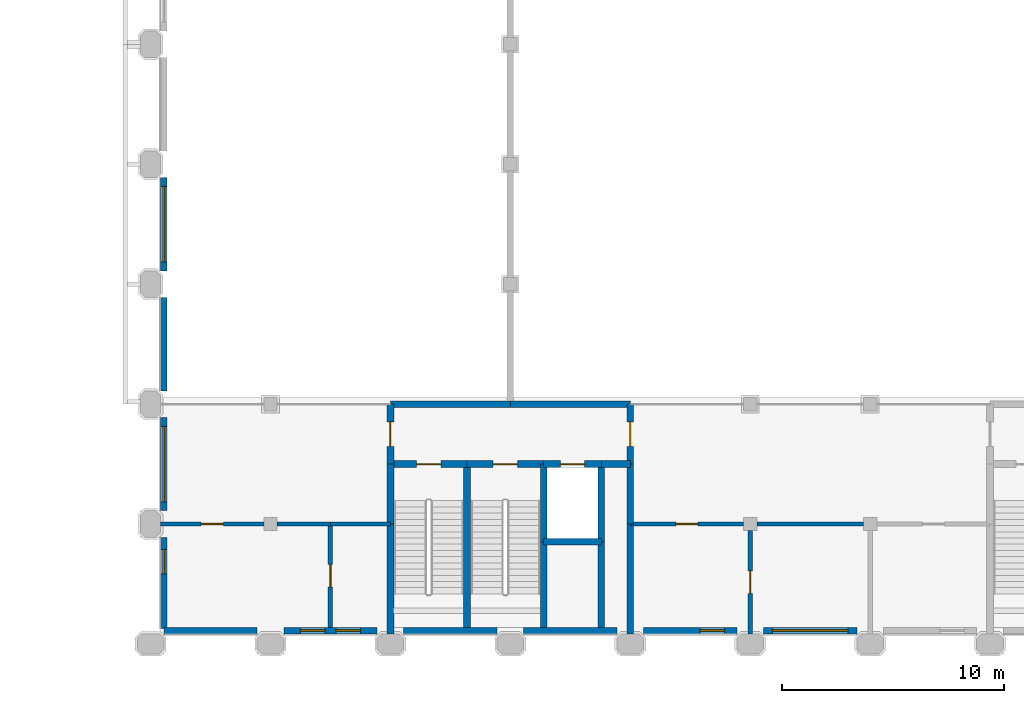
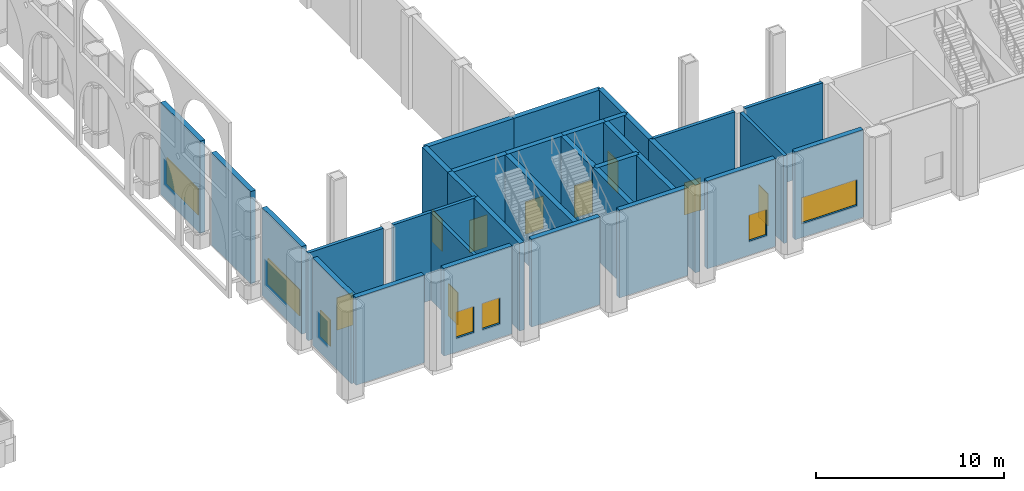
# One storey, part 15 of 34: 35 walls, 9 doors, 7 windows, 16 openings.
"""IFC4 building model written with IfcOpenShell, lengths in metres."""

from ifc_helpers import new_model, si_unit, direction, frame, frame_2d, origin, place, context, subcontext, project, spatial, rectangle, extrude, material, layer, layer_set, type_object, element, fill, save


model = new_model("IFC4")

# Units and contexts
model_context = context("Model", 3, precision=1e-05, world=origin(), true_north=direction((0.0, 1.0)))
body_context = subcontext(model_context, "Body", "Model", "MODEL_VIEW")
ifc_project = project(units=[si_unit("LENGTHUNIT", "METRE"), si_unit("AREAUNIT", "SQUARE_METRE"), si_unit("VOLUMEUNIT", "CUBIC_METRE"), si_unit("PLANEANGLEUNIT", "RADIAN"), si_unit("MASSUNIT", "GRAM", prefix="KILO")], contexts=[model_context])

# Site, building, storey
site_placement = place(None, origin())
site = spatial("IfcSite", under=ifc_project, at=site_placement, CompositionType="ELEMENT")
building_placement = place(site_placement, origin())
building = spatial("IfcBuilding", under=site, at=building_placement, Name="Tabaq Tower and Sports Hall", CompositionType="ELEMENT")
storey_placement = place(building_placement, frame((0.0, 0.0, 8.39990234375)))
storey = spatial("IfcBuildingStorey", under=building, at=storey_placement, Name="L01", CompositionType="ELEMENT", Elevation=8.39990234375)

# Wall
ifc_material_1 = material(Name="Concrete C50/60", Category="concrete")
ifc_layer_1 = layer(ifc_material_1, 0.300048828125)
ifc_layer_set_1 = layer_set([ifc_layer_1], Name="HALL CORE WALL RC 300 C50/60")
wall_type_1 = type_object("IfcWallType", Name="HALL CORE WALL RC 300 C50/60", PredefinedType="SHEAR", material=ifc_layer_set_1)
wall_1_placement = place(storey_placement, frame((75.60009765625, 5.39990234375, 0.0), z_axis=(0.0, 0.0, 1.0), x_axis=(0.0, 1.0, 0.0)))
element("IfcWall", 1, at=wall_1_placement, inside=storey, type_object=wall_type_1, Name="L01 core wall 004", PredefinedType="SHEAR", context=body_context, shape_type="SweptSolid", body=[
    extrude(rectangle(XDim=2.7001953125, YDim=0.300048828125, at=frame_2d((1.35009765625, 0.0))), origin(), (0.0, 0.0, 1.0), 5.7001953125),
])

# Wall, opening, door
wall_2_placement = place(storey_placement, frame((75.60009765625, 8.10009765625, 0.0), z_axis=(0.0, 0.0, 1.0), x_axis=(0.0, 1.0, 0.0)))
wall_2 = element("IfcWall", 2, at=wall_2_placement, inside=storey, type_object=wall_type_1, Name="L01 core wall 005", PredefinedType="SHEAR", context=body_context, shape_type="SweptSolid", body=[
    extrude(rectangle(XDim=2.699951171875, YDim=0.300048828125, at=frame_2d((1.35009765625, 0.0))), origin(), (0.0, 0.0, 1.0), 5.7001953125),
])
opening_1_placement = place(wall_2_placement, frame((0.800048828125, 0.0, 0.0)))
opening_1 = element("IfcOpeningElement", 3, at=opening_1_placement, cuts=wall_2, Name="Opening HD038", PredefinedType="OPENING", context=body_context, shape_type="SweptSolid", body=[
    extrude(rectangle(XDim=1.10009765625, YDim=2.10009765625, at=frame_2d((0.550048828125, 1.050048828125))), frame((0.0, 0.14990234375, 0.0), z_axis=(0.0, -1.0, 0.0), x_axis=(1.0, 0.0, 0.0)), (0.0, 0.0, 1.0), 0.300048828125),
])
ifc_material_2 = material(Name="Steel fire door leaf in steel frame", Category="steel")
door_type_1 = type_object("IfcDoorType", Name="HALL FIRE DOOR 1100x2100", OperationType="SINGLE_SWING_LEFT", PredefinedType="DOOR", material=ifc_material_2)
door_1_placement = place(opening_1_placement, origin())
door_1 = element("IfcDoor", 4, at=door_1_placement, inside=storey, type_object=door_type_1, Name="Door HD038", OperationType="SINGLE_SWING_LEFT", OverallHeight=2.10009765625, OverallWidth=1.10009765625, PredefinedType="DOOR", context=body_context, shape_type="SweptSolid", body=[
    extrude(rectangle(XDim=1.10009765625, YDim=2.10009765625, at=frame_2d((0.550048828125, 1.050048828125))), frame((0.0, 0.02490234375, 0.0), z_axis=(0.0, -1.0, 0.0), x_axis=(1.0, 0.0, 0.0)), (0.0, 0.0, 1.0), 0.050048828125),
])
fill(opening_1, door_1)

# Wall
wall_3_placement = place(storey_placement, frame((86.39990234375, 5.39990234375, 0.0), z_axis=(0.0, 0.0, 1.0), x_axis=(0.0, 1.0, 0.0)))
element("IfcWall", 5, at=wall_3_placement, inside=storey, type_object=wall_type_1, Name="L01 core wall 009", PredefinedType="SHEAR", context=body_context, shape_type="SweptSolid", body=[
    extrude(rectangle(XDim=2.7001953125, YDim=0.300048828125, at=frame_2d((1.35009765625, 0.0))), origin(), (0.0, 0.0, 1.0), 5.7001953125),
])

# Wall, opening, door
wall_4_placement = place(storey_placement, frame((86.39990234375, 8.10009765625, 0.0), z_axis=(0.0, 0.0, 1.0), x_axis=(0.0, 1.0, 0.0)))
wall_4 = element("IfcWall", 6, at=wall_4_placement, inside=storey, type_object=wall_type_1, Name="L01 core wall 010", PredefinedType="SHEAR", context=body_context, shape_type="SweptSolid", body=[
    extrude(rectangle(XDim=2.699951171875, YDim=0.300048828125, at=frame_2d((1.35009765625, 0.0))), origin(), (0.0, 0.0, 1.0), 5.7001953125),
])
opening_2_placement = place(wall_4_placement, frame((0.800048828125, 0.0, 0.0)))
opening_2 = element("IfcOpeningElement", 7, at=opening_2_placement, cuts=wall_4, Name="Opening HD039", PredefinedType="OPENING", context=body_context, shape_type="SweptSolid", body=[
    extrude(rectangle(XDim=1.10009765625, YDim=2.10009765625, at=frame_2d((0.550048828125, 1.050048828125))), frame((0.0, 0.14990234375, 0.0), z_axis=(0.0, -1.0, 0.0), x_axis=(1.0, 0.0, 0.0)), (0.0, 0.0, 1.0), 0.300048828125),
])
door_2_placement = place(opening_2_placement, origin())
door_2 = element("IfcDoor", 8, at=door_2_placement, inside=storey, type_object=door_type_1, Name="Door HD039", OperationType="SINGLE_SWING_LEFT", OverallHeight=2.10009765625, OverallWidth=1.10009765625, PredefinedType="DOOR", context=body_context, shape_type="SweptSolid", body=[
    extrude(rectangle(XDim=1.10009765625, YDim=2.10009765625, at=frame_2d((0.550048828125, 1.050048828125))), frame((0.0, 0.02490234375, 0.0), z_axis=(0.0, -1.0, 0.0), x_axis=(1.0, 0.0, 0.0)), (0.0, 0.0, 1.0), 0.050048828125),
])
fill(opening_2, door_2)

# Walls
for number, where, z_axis, x_axis, name in (
    (9, (75.60009765625, 0.449951171875, 0.0), (0.0, 0.0, 1.0), (0.0, 1.0, 0.0), "L01 core wall 020"),
    (10, (86.39990234375, 0.449951171875, 0.0), (0.0, 0.0, 1.0), (0.0, 1.0, 0.0), "L01 core wall 022"),
):
    element("IfcWall", number, at=place(storey_placement, frame(where, z_axis=z_axis, x_axis=x_axis)), inside=storey, type_object=wall_type_1, Name=name, PredefinedType="SHEAR", context=body_context, shape_type="SweptSolid", body=[
        extrude(rectangle(XDim=4.949951171875, YDim=0.300048828125, at=frame_2d((2.47509765625, 0.0))), origin(), (0.0, 0.0, 1.0), 5.7001953125),
    ])
wall_5_placement = place(storey_placement, frame((79.050048828125, 0.75, 0.0), z_axis=(0.0, 0.0, 1.0), x_axis=(0.0, 1.0, 0.0)))
element("IfcWall", 11, at=wall_5_placement, inside=storey, type_object=wall_type_1, Name="L01 core wall 029", PredefinedType="SHEAR", context=body_context, shape_type="SweptSolid", body=[
    extrude(rectangle(XDim=7.35009765625, YDim=0.300048828125, at=frame_2d((3.675048828125, 0.0))), origin(), (0.0, 0.0, 1.0), 5.7001953125),
])

# Wall, opening, door
wall_6_placement = place(storey_placement, frame((75.60009765625, 8.10009765625, 0.0), z_axis=(0.0, 0.0, 1.0), x_axis=(1.0, 0.0, 0.0)))
wall_6 = element("IfcWall", 12, at=wall_6_placement, inside=storey, type_object=wall_type_1, Name="L01 core wall 030", PredefinedType="SHEAR", context=body_context, shape_type="SweptSolid", body=[
    extrude(rectangle(XDim=3.449951171875, YDim=0.300048828125, at=frame_2d((1.72509765625, 0.0))), origin(), (0.0, 0.0, 1.0), 5.7001953125),
])
opening_3_placement = place(wall_6_placement, frame((1.175048828125, 0.0, 0.0)))
opening_3 = element("IfcOpeningElement", 13, at=opening_3_placement, cuts=wall_6, Name="Opening HD051", PredefinedType="OPENING", context=body_context, shape_type="SweptSolid", body=[
    extrude(rectangle(XDim=1.10009765625, YDim=2.10009765625, at=frame_2d((0.550048828125, 1.050048828125))), frame((0.0, 0.14990234375, 0.0), z_axis=(0.0, -1.0, 0.0), x_axis=(1.0, 0.0, 0.0)), (0.0, 0.0, 1.0), 0.300048828125),
])
door_3_placement = place(opening_3_placement, origin())
door_3 = element("IfcDoor", 14, at=door_3_placement, inside=storey, type_object=door_type_1, Name="Door HD051", OperationType="SINGLE_SWING_LEFT", OverallHeight=2.10009765625, OverallWidth=1.10009765625, PredefinedType="DOOR", context=body_context, shape_type="SweptSolid", body=[
    extrude(rectangle(XDim=1.10009765625, YDim=2.10009765625, at=frame_2d((0.550048828125, 1.050048828125))), frame((0.0, 0.02490234375, 0.0), z_axis=(0.0, -1.0, 0.0), x_axis=(1.0, 0.0, 0.0)), (0.0, 0.0, 1.0), 0.050048828125),
])
fill(opening_3, door_3)

# Walls
wall_7_placement = place(storey_placement, frame((82.5, 4.60009765625, 0.0), z_axis=(0.0, 0.0, 1.0), x_axis=(0.0, 1.0, 0.0)))
element("IfcWall", 15, at=wall_7_placement, inside=storey, type_object=wall_type_1, Name="L01 core wall 031", PredefinedType="SHEAR", context=body_context, shape_type="SweptSolid", body=[
    extrude(rectangle(XDim=3.5, YDim=0.300048828125, at=frame_2d((1.75, 0.0))), origin(), (0.0, 0.0, 1.0), 5.7001953125),
])
wall_8_placement = place(storey_placement, frame((82.5, 0.75, 0.0), z_axis=(0.0, 0.0, 1.0), x_axis=(0.0, 1.0, 0.0)))
element("IfcWall", 16, at=wall_8_placement, inside=storey, type_object=wall_type_1, Name="L01 core wall 032", PredefinedType="SHEAR", context=body_context, shape_type="SweptSolid", body=[
    extrude(rectangle(XDim=3.85009765625, YDim=0.300048828125, at=frame_2d((1.925048828125, 0.0))), origin(), (0.0, 0.0, 1.0), 5.7001953125),
])

# Wall, opening, door
wall_9_placement = place(storey_placement, frame((79.050048828125, 8.10009765625, 0.0), z_axis=(0.0, 0.0, 1.0), x_axis=(1.0, 0.0, 0.0)))
wall_9 = element("IfcWall", 17, at=wall_9_placement, inside=storey, type_object=wall_type_1, Name="L01 core wall 033", PredefinedType="SHEAR", context=body_context, shape_type="SweptSolid", body=[
    extrude(rectangle(XDim=3.449951171875, YDim=0.300048828125, at=frame_2d((1.72509765625, 0.0))), origin(), (0.0, 0.0, 1.0), 5.7001953125),
])
opening_4_placement = place(wall_9_placement, frame((1.175048828125, 0.0, 0.0)))
opening_4 = element("IfcOpeningElement", 18, at=opening_4_placement, cuts=wall_9, Name="Opening HD052", PredefinedType="OPENING", context=body_context, shape_type="SweptSolid", body=[
    extrude(rectangle(XDim=1.10009765625, YDim=2.10009765625, at=frame_2d((0.550048828125, 1.050048828125))), frame((0.0, 0.14990234375, 0.0), z_axis=(0.0, -1.0, 0.0), x_axis=(1.0, 0.0, 0.0)), (0.0, 0.0, 1.0), 0.300048828125),
])
door_4_placement = place(opening_4_placement, origin())
door_4 = element("IfcDoor", 19, at=door_4_placement, inside=storey, type_object=door_type_1, Name="Door HD052", OperationType="SINGLE_SWING_LEFT", OverallHeight=2.10009765625, OverallWidth=1.10009765625, PredefinedType="DOOR", context=body_context, shape_type="SweptSolid", body=[
    extrude(rectangle(XDim=1.10009765625, YDim=2.10009765625, at=frame_2d((0.550048828125, 1.050048828125))), frame((0.0, 0.02490234375, 0.0), z_axis=(0.0, -1.0, 0.0), x_axis=(1.0, 0.0, 0.0)), (0.0, 0.0, 1.0), 0.050048828125),
])
fill(opening_4, door_4)

# Walls
wall_10_placement = place(storey_placement, frame((82.5, 4.60009765625, 0.0), z_axis=(0.0, 0.0, 1.0), x_axis=(1.0, 0.0, 0.0)))
element("IfcWall", 20, at=wall_10_placement, inside=storey, type_object=wall_type_1, Name="L01 core wall 034", PredefinedType="SHEAR", context=body_context, shape_type="SweptSolid", body=[
    extrude(rectangle(XDim=2.60009765625, YDim=0.300048828125, at=frame_2d((1.300048828125, 0.0))), origin(), (0.0, 0.0, 1.0), 5.7001953125),
])
wall_11_placement = place(storey_placement, frame((85.10009765625, 4.60009765625, 0.0), z_axis=(0.0, 0.0, 1.0), x_axis=(0.0, 1.0, 0.0)))
element("IfcWall", 21, at=wall_11_placement, inside=storey, type_object=wall_type_1, Name="L01 core wall 035", PredefinedType="SHEAR", context=body_context, shape_type="SweptSolid", body=[
    extrude(rectangle(XDim=3.5, YDim=0.300048828125, at=frame_2d((1.75, 0.0))), origin(), (0.0, 0.0, 1.0), 5.7001953125),
])

# Wall, opening, door
wall_12_placement = place(storey_placement, frame((82.5, 8.10009765625, 0.0), z_axis=(0.0, 0.0, 1.0), x_axis=(1.0, 0.0, 0.0)))
wall_12 = element("IfcWall", 22, at=wall_12_placement, inside=storey, type_object=wall_type_1, Name="L01 core wall 036", PredefinedType="SHEAR", context=body_context, shape_type="SweptSolid", body=[
    extrude(rectangle(XDim=2.60009765625, YDim=0.300048828125, at=frame_2d((1.300048828125, 0.0))), origin(), (0.0, 0.0, 1.0), 5.7001953125),
])
opening_5_placement = place(wall_12_placement, frame((0.75, 0.0, 0.0)))
opening_5 = element("IfcOpeningElement", 23, at=opening_5_placement, cuts=wall_12, Name="Opening LDA-L01", PredefinedType="OPENING", context=body_context, shape_type="SweptSolid", body=[
    extrude(rectangle(XDim=1.10009765625, YDim=2.10009765625, at=frame_2d((0.550048828125, 1.050048828125))), frame((0.0, 0.14990234375, 0.0), z_axis=(0.0, -1.0, 0.0), x_axis=(1.0, 0.0, 0.0)), (0.0, 0.0, 1.0), 0.300048828125),
])
ifc_material_3 = material(Name="Stainless steel landing door panels", Category="steel")
door_type_2 = type_object("IfcDoorType", Name="HALL LIFT LANDING DOOR 1100x2100", OperationType="SLIDING_TO_LEFT", PredefinedType="DOOR", material=ifc_material_3)
door_5_placement = place(opening_5_placement, origin())
door_5 = element("IfcDoor", 24, at=door_5_placement, inside=storey, type_object=door_type_2, Name="Door LDA-L01", OperationType="SLIDING_TO_LEFT", OverallHeight=2.10009765625, OverallWidth=1.10009765625, PredefinedType="DOOR", context=body_context, shape_type="SweptSolid", body=[
    extrude(rectangle(XDim=1.10009765625, YDim=2.10009765625, at=frame_2d((0.550048828125, 1.050048828125))), frame((0.0, 0.02490234375, 0.0), z_axis=(0.0, -1.0, 0.0), x_axis=(1.0, 0.0, 0.0)), (0.0, 0.0, 1.0), 0.050048828125),
])
fill(opening_5, door_5)

# Walls
wall_13_placement = place(storey_placement, frame((85.10009765625, 0.75, 0.0), z_axis=(0.0, 0.0, 1.0), x_axis=(0.0, 1.0, 0.0)))
element("IfcWall", 25, at=wall_13_placement, inside=storey, type_object=wall_type_1, Name="L01 core wall 037", PredefinedType="SHEAR", context=body_context, shape_type="SweptSolid", body=[
    extrude(rectangle(XDim=3.85009765625, YDim=0.300048828125, at=frame_2d((1.925048828125, 0.0))), origin(), (0.0, 0.0, 1.0), 5.7001953125),
])
wall_14_placement = place(storey_placement, frame((85.10009765625, 8.10009765625, 0.0), z_axis=(0.0, 0.0, 1.0), x_axis=(1.0, 0.0, 0.0)))
element("IfcWall", 26, at=wall_14_placement, inside=storey, type_object=wall_type_1, Name="L01 core wall 038", PredefinedType="SHEAR", context=body_context, shape_type="SweptSolid", body=[
    extrude(rectangle(XDim=1.2998046875, YDim=0.300048828125, at=frame_2d((0.64990234375, 0.0))), origin(), (0.0, 0.0, 1.0), 5.7001953125),
])
for number, where, z_axis, x_axis, name in (
    (27, (81.0, 10.800048828125, 0.0), (0.0, 0.0, 1.0), (1.0, 0.0, 0.0), "L01 core wall 039"),
    (28, (75.60009765625, 10.800048828125, 0.0), (0.0, 0.0, 1.0), (1.0, 0.0, 0.0), "L01 core wall 040"),
):
    element("IfcWall", number, at=place(storey_placement, frame(where, z_axis=z_axis, x_axis=x_axis)), inside=storey, type_object=wall_type_1, Name=name, PredefinedType="SHEAR", context=body_context, shape_type="SweptSolid", body=[
        extrude(rectangle(XDim=5.39990234375, YDim=0.300048828125, at=frame_2d((2.699951171875, 0.0))), origin(), (0.0, 0.0, 1.0), 5.7001953125),
    ])

# Wall, opening, door
ifc_material_4 = material(Name="Blockwork partition with plaster both faces", Category="masonry")
ifc_layer_2 = layer(ifc_material_4, 0.199951171875)
ifc_layer_set_2 = layer_set([ifc_layer_2], Name="HALL PARTITION 200")
wall_type_2 = type_object("IfcWallType", Name="HALL PARTITION 200", PredefinedType="PARTITIONING", material=ifc_layer_set_2)
wall_15_placement = place(storey_placement, frame((65.25, 5.39990234375, 0.0), z_axis=(0.0, 0.0, 1.0), x_axis=(1.0, 0.0, 0.0)))
wall_15 = element("IfcWall", 29, at=wall_15_placement, inside=storey, type_object=wall_type_2, Name="L01 partition 001", PredefinedType="PARTITIONING", context=body_context, shape_type="SweptSolid", body=[
    extrude(rectangle(XDim=4.64990234375, YDim=0.199951171875, at=frame_2d((2.324951171875, 0.0))), origin(), (0.0, 0.0, 1.0), 5.7001953125),
])
opening_6_placement = place(wall_15_placement, frame((1.824951171875, 0.0, 0.0)))
opening_6 = element("IfcOpeningElement", 30, at=opening_6_placement, cuts=wall_15, Name="Opening HD042", PredefinedType="OPENING", context=body_context, shape_type="SweptSolid", body=[
    extrude(rectangle(XDim=1.0, YDim=2.10009765625, at=frame_2d((0.5, 1.050048828125))), frame((0.0, 0.10009765625, 0.0), z_axis=(0.0, -1.0, 0.0), x_axis=(1.0, 0.0, 0.0)), (0.0, 0.0, 1.0), 0.199951171875),
])
ifc_material_5 = material(Name="Timber veneer door leaf in steel frame", Category="steel")
door_type_3 = type_object("IfcDoorType", Name="HALL DOOR SINGLE 1000x2100", OperationType="SINGLE_SWING_LEFT", PredefinedType="DOOR", material=ifc_material_5)
door_6_placement = place(opening_6_placement, origin())
door_6 = element("IfcDoor", 31, at=door_6_placement, inside=storey, type_object=door_type_3, Name="Door HD042", OperationType="SINGLE_SWING_LEFT", OverallHeight=2.10009765625, OverallWidth=1.0, PredefinedType="DOOR", context=body_context, shape_type="SweptSolid", body=[
    extrude(rectangle(XDim=1.0, YDim=2.10009765625, at=frame_2d((0.5, 1.050048828125))), frame((0.0, 0.02490234375, 0.0), z_axis=(0.0, -1.0, 0.0), x_axis=(1.0, 0.0, 0.0)), (0.0, 0.0, 1.0), 0.050048828125),
])
fill(opening_6, door_6)

# Walls
wall_16_placement = place(storey_placement, frame((70.5, 5.39990234375, 0.0), z_axis=(0.0, 0.0, 1.0), x_axis=(1.0, 0.0, 0.0)))
element("IfcWall", 32, at=wall_16_placement, inside=storey, type_object=wall_type_2, Name="L01 partition 002", PredefinedType="PARTITIONING", context=body_context, shape_type="SweptSolid", body=[
    extrude(rectangle(XDim=2.39990234375, YDim=0.199951171875, at=frame_2d((1.199951171875, 0.0))), origin(), (0.0, 0.0, 1.0), 5.7001953125),
])
wall_17_placement = place(storey_placement, frame((72.89990234375, 5.39990234375, 0.0), z_axis=(0.0, 0.0, 1.0), x_axis=(1.0, 0.0, 0.0)))
element("IfcWall", 33, at=wall_17_placement, inside=storey, type_object=wall_type_2, Name="L01 partition 003", PredefinedType="PARTITIONING", context=body_context, shape_type="SweptSolid", body=[
    extrude(rectangle(XDim=2.7001953125, YDim=0.199951171875, at=frame_2d((1.35009765625, 0.0))), origin(), (0.0, 0.0, 1.0), 5.7001953125),
])

# Wall, opening, door
wall_18_placement = place(storey_placement, frame((86.39990234375, 5.39990234375, 0.0), z_axis=(0.0, 0.0, 1.0), x_axis=(1.0, 0.0, 0.0)))
wall_18 = element("IfcWall", 34, at=wall_18_placement, inside=storey, type_object=wall_type_2, Name="L01 partition 006", PredefinedType="PARTITIONING", context=body_context, shape_type="SweptSolid", body=[
    extrude(rectangle(XDim=5.10009765625, YDim=0.199951171875, at=frame_2d((2.550048828125, 0.0))), origin(), (0.0, 0.0, 1.0), 5.7001953125),
])
opening_7_placement = place(wall_18_placement, frame((2.050048828125, 0.0, 0.0)))
opening_7 = element("IfcOpeningElement", 35, at=opening_7_placement, cuts=wall_18, Name="Opening HD044", PredefinedType="OPENING", context=body_context, shape_type="SweptSolid", body=[
    extrude(rectangle(XDim=1.0, YDim=2.10009765625, at=frame_2d((0.5, 1.050048828125))), frame((0.0, 0.10009765625, 0.0), z_axis=(0.0, -1.0, 0.0), x_axis=(1.0, 0.0, 0.0)), (0.0, 0.0, 1.0), 0.199951171875),
])
door_7_placement = place(opening_7_placement, origin())
door_7 = element("IfcDoor", 36, at=door_7_placement, inside=storey, type_object=door_type_3, Name="Door HD044", OperationType="SINGLE_SWING_LEFT", OverallHeight=2.10009765625, OverallWidth=1.0, PredefinedType="DOOR", context=body_context, shape_type="SweptSolid", body=[
    extrude(rectangle(XDim=1.0, YDim=2.10009765625, at=frame_2d((0.5, 1.050048828125))), frame((0.0, 0.02490234375, 0.0), z_axis=(0.0, -1.0, 0.0), x_axis=(1.0, 0.0, 0.0)), (0.0, 0.0, 1.0), 0.050048828125),
])
fill(opening_7, door_7)

# Wall
wall_19_placement = place(storey_placement, frame((92.10009765625, 5.39990234375, 0.0), z_axis=(0.0, 0.0, 1.0), x_axis=(1.0, 0.0, 0.0)))
element("IfcWall", 37, at=wall_19_placement, inside=storey, type_object=wall_type_2, Name="L01 partition 007", PredefinedType="PARTITIONING", context=body_context, shape_type="SweptSolid", body=[
    extrude(rectangle(XDim=4.7998046875, YDim=0.199951171875, at=frame_2d((2.39990234375, 0.0))), origin(), (0.0, 0.0, 1.0), 5.7001953125),
])

# Wall, opening, door
wall_20_placement = place(storey_placement, frame((72.89990234375, 0.75, 0.0), z_axis=(0.0, 0.0, 1.0), x_axis=(0.0, 1.0, 0.0)))
wall_20 = element("IfcWall", 38, at=wall_20_placement, inside=storey, type_object=wall_type_2, Name="L01 partition 019", PredefinedType="PARTITIONING", context=body_context, shape_type="SweptSolid", body=[
    extrude(rectangle(XDim=4.64990234375, YDim=0.199951171875, at=frame_2d((2.324951171875, 0.0))), origin(), (0.0, 0.0, 1.0), 5.7001953125),
])
opening_8_placement = place(wall_20_placement, frame((1.824951171875, 0.0, 0.0)))
opening_8 = element("IfcOpeningElement", 39, at=opening_8_placement, cuts=wall_20, Name="Opening HD043", PredefinedType="OPENING", context=body_context, shape_type="SweptSolid", body=[
    extrude(rectangle(XDim=1.0, YDim=2.10009765625, at=frame_2d((0.5, 1.050048828125))), frame((0.0, 0.10009765625, 0.0), z_axis=(0.0, -1.0, 0.0), x_axis=(1.0, 0.0, 0.0)), (0.0, 0.0, 1.0), 0.199951171875),
])
door_8_placement = place(opening_8_placement, origin())
door_8 = element("IfcDoor", 40, at=door_8_placement, inside=storey, type_object=door_type_3, Name="Door HD043", OperationType="SINGLE_SWING_LEFT", OverallHeight=2.10009765625, OverallWidth=1.0, PredefinedType="DOOR", context=body_context, shape_type="SweptSolid", body=[
    extrude(rectangle(XDim=1.0, YDim=2.10009765625, at=frame_2d((0.5, 1.050048828125))), frame((0.0, 0.02490234375, 0.0), z_axis=(0.0, -1.0, 0.0), x_axis=(1.0, 0.0, 0.0)), (0.0, 0.0, 1.0), 0.050048828125),
])
fill(opening_8, door_8)

wall_21_placement = place(storey_placement, frame((91.800048828125, 0.449951171875, 0.0), z_axis=(0.0, 0.0, 1.0), x_axis=(0.0, 1.0, 0.0)))
wall_21 = element("IfcWall", 41, at=wall_21_placement, inside=storey, type_object=wall_type_2, Name="L01 partition 021", PredefinedType="PARTITIONING", context=body_context, shape_type="SweptSolid", body=[
    extrude(rectangle(XDim=4.650146484375, YDim=0.199951171875, at=frame_2d((2.3251953125, 0.0))), origin(), (0.0, 0.0, 1.0), 5.7001953125),
])
opening_9_placement = place(wall_21_placement, frame((1.824951171875, 0.0, 0.0)))
opening_9 = element("IfcOpeningElement", 42, at=opening_9_placement, cuts=wall_21, Name="Opening HD045", PredefinedType="OPENING", context=body_context, shape_type="SweptSolid", body=[
    extrude(rectangle(XDim=1.0, YDim=2.10009765625, at=frame_2d((0.5, 1.050048828125))), frame((0.0, 0.10009765625, 0.0), z_axis=(0.0, -1.0, 0.0), x_axis=(1.0, 0.0, 0.0)), (0.0, 0.0, 1.0), 0.199951171875),
])
door_9_placement = place(opening_9_placement, origin())
door_9 = element("IfcDoor", 43, at=door_9_placement, inside=storey, type_object=door_type_3, Name="Door HD045", OperationType="SINGLE_SWING_LEFT", OverallHeight=2.10009765625, OverallWidth=1.0, PredefinedType="DOOR", context=body_context, shape_type="SweptSolid", body=[
    extrude(rectangle(XDim=1.0, YDim=2.10009765625, at=frame_2d((0.5, 1.050048828125))), frame((0.0, 0.02490234375, 0.0), z_axis=(0.0, -1.0, 0.0), x_axis=(1.0, 0.0, 0.0)), (0.0, 0.0, 1.0), 0.050048828125),
])
fill(opening_9, door_9)

# Wall
ifc_material_6 = material(Name="White precast concrete C60/75", Category="concrete")
ifc_layer_3 = layer(ifc_material_6, 0.300048828125)
ifc_layer_set_3 = layer_set([ifc_layer_3], Name="White precast concrete C60/75 external wall 300")
wall_type_3 = type_object("IfcWallType", Name="White precast concrete C60/75 external wall 300", PredefinedType="SOLIDWALL", material=ifc_layer_set_3)
wall_22_placement = place(storey_placement, frame((65.39990234375, 0.60009765625, 0.0), z_axis=(0.0, 0.0, 1.0), x_axis=(1.0, 0.0, 0.0)))
element("IfcWall", 44, at=wall_22_placement, inside=storey, type_object=wall_type_3, Name="L01 S facade panel", PredefinedType="SOLIDWALL", context=body_context, shape_type="SweptSolid", body=[
    extrude(rectangle(XDim=4.2001953125, YDim=0.300048828125, at=frame_2d((2.10009765625, 0.0))), origin(), (0.0, 0.0, 1.0), 5.7001953125),
])

# Wall, openings, windows
wall_23_placement = place(storey_placement, frame((70.800048828125, 0.60009765625, 0.0), z_axis=(0.0, 0.0, 1.0), x_axis=(1.0, 0.0, 0.0)))
wall_23 = element("IfcWall", 45, at=wall_23_placement, inside=storey, type_object=wall_type_3, Name="L01 S facade panel", PredefinedType="SOLIDWALL", context=body_context, shape_type="SweptSolid", body=[
    extrude(rectangle(XDim=4.199951171875, YDim=0.300048828125, at=frame_2d((2.10009765625, 0.0))), origin(), (0.0, 0.0, 1.0), 5.7001953125),
])
opening_10_placement = place(wall_23_placement, frame((0.75, 0.0, 0.89990234375)))
opening_10 = element("IfcOpeningElement", 46, at=opening_10_placement, cuts=wall_23, Name="Opening HW002", PredefinedType="OPENING", context=body_context, shape_type="SweptSolid", body=[
    extrude(rectangle(XDim=1.10009765625, YDim=1.699951171875, at=frame_2d((0.550048828125, 0.85009765625))), frame((0.0, 0.14990234375, 0.0), z_axis=(0.0, -1.0, 0.0), x_axis=(1.0, 0.0, 0.0)), (0.0, 0.0, 1.0), 0.300048828125),
])
opening_11_placement = place(wall_23_placement, frame((2.35009765625, 0.0, 0.89990234375)))
opening_11 = element("IfcOpeningElement", 47, at=opening_11_placement, cuts=wall_23, Name="Opening HW003", PredefinedType="OPENING", context=body_context, shape_type="SweptSolid", body=[
    extrude(rectangle(XDim=1.10009765625, YDim=1.699951171875, at=frame_2d((0.550048828125, 0.85009765625))), frame((0.0, 0.14990234375, 0.0), z_axis=(0.0, -1.0, 0.0), x_axis=(1.0, 0.0, 0.0)), (0.0, 0.0, 1.0), 0.300048828125),
])
ifc_material_7 = material(Name="Aluminium framed clear glazing", Category="aluminium")
window_type_1 = type_object("IfcWindowType", Name="Window W1B", PartitioningType="SINGLE_PANEL", PredefinedType="WINDOW", material=ifc_material_7)
window_1_placement = place(opening_10_placement, origin())
window_1 = element("IfcWindow", 48, at=window_1_placement, inside=storey, type_object=window_type_1, Name="Window HW002", OverallHeight=1.699951171875, OverallWidth=1.10009765625, PartitioningType="SINGLE_PANEL", PredefinedType="WINDOW", context=body_context, shape_type="SweptSolid", body=[
    extrude(rectangle(XDim=1.10009765625, YDim=1.699951171875, at=frame_2d((0.550048828125, 0.85009765625))), frame((0.0, 0.030029296875, 0.0), z_axis=(0.0, -1.0, 0.0), x_axis=(1.0, 0.0, 0.0)), (0.0, 0.0, 1.0), 0.06005859375),
])
fill(opening_10, window_1)
window_2_placement = place(opening_11_placement, origin())
window_2 = element("IfcWindow", 49, at=window_2_placement, inside=storey, type_object=window_type_1, Name="Window HW003", OverallHeight=1.699951171875, OverallWidth=1.10009765625, PartitioningType="SINGLE_PANEL", PredefinedType="WINDOW", context=body_context, shape_type="SweptSolid", body=[
    extrude(rectangle(XDim=1.10009765625, YDim=1.699951171875, at=frame_2d((0.550048828125, 0.85009765625))), frame((0.0, 0.030029296875, 0.0), z_axis=(0.0, -1.0, 0.0), x_axis=(1.0, 0.0, 0.0)), (0.0, 0.0, 1.0), 0.06005859375),
])
fill(opening_11, window_2)

# Walls
for number, where, z_axis, x_axis, name in (
    (50, (76.199951171875, 0.60009765625, 0.0), (0.0, 0.0, 1.0), (1.0, 0.0, 0.0), "L01 S facade panel"),
    (51, (81.60009765625, 0.60009765625, 0.0), (0.0, 0.0, 1.0), (1.0, 0.0, 0.0), "L01 S facade panel"),
):
    element("IfcWall", number, at=place(storey_placement, frame(where, z_axis=z_axis, x_axis=x_axis)), inside=storey, type_object=wall_type_3, Name=name, PredefinedType="SOLIDWALL", context=body_context, shape_type="SweptSolid", body=[
        extrude(rectangle(XDim=4.199951171875, YDim=0.300048828125, at=frame_2d((2.10009765625, 0.0))), origin(), (0.0, 0.0, 1.0), 5.7001953125),
    ])

# Wall, opening, window
wall_24_placement = place(storey_placement, frame((87.0, 0.60009765625, 0.0), z_axis=(0.0, 0.0, 1.0), x_axis=(1.0, 0.0, 0.0)))
wall_24 = element("IfcWall", 52, at=wall_24_placement, inside=storey, type_object=wall_type_3, Name="L01 S facade panel", PredefinedType="SOLIDWALL", context=body_context, shape_type="SweptSolid", body=[
    extrude(rectangle(XDim=4.199951171875, YDim=0.300048828125, at=frame_2d((2.10009765625, 0.0))), origin(), (0.0, 0.0, 1.0), 5.7001953125),
])
opening_12_placement = place(wall_24_placement, frame((2.550048828125, 0.0, 0.89990234375)))
opening_12 = element("IfcOpeningElement", 53, at=opening_12_placement, cuts=wall_24, Name="Opening HW005", PredefinedType="OPENING", context=body_context, shape_type="SweptSolid", body=[
    extrude(rectangle(XDim=1.10009765625, YDim=1.699951171875, at=frame_2d((0.550048828125, 0.85009765625))), frame((0.0, 0.14990234375, 0.0), z_axis=(0.0, -1.0, 0.0), x_axis=(1.0, 0.0, 0.0)), (0.0, 0.0, 1.0), 0.300048828125),
])
window_3_placement = place(opening_12_placement, origin())
window_3 = element("IfcWindow", 54, at=window_3_placement, inside=storey, type_object=window_type_1, Name="Window HW005", OverallHeight=1.699951171875, OverallWidth=1.10009765625, PartitioningType="SINGLE_PANEL", PredefinedType="WINDOW", context=body_context, shape_type="SweptSolid", body=[
    extrude(rectangle(XDim=1.10009765625, YDim=1.699951171875, at=frame_2d((0.550048828125, 0.85009765625))), frame((0.0, 0.030029296875, 0.0), z_axis=(0.0, -1.0, 0.0), x_axis=(1.0, 0.0, 0.0)), (0.0, 0.0, 1.0), 0.06005859375),
])
fill(opening_12, window_3)

wall_25_placement = place(storey_placement, frame((92.39990234375, 0.60009765625, 0.0), z_axis=(0.0, 0.0, 1.0), x_axis=(1.0, 0.0, 0.0)))
wall_25 = element("IfcWall", 55, at=wall_25_placement, inside=storey, type_object=wall_type_3, Name="L01 S facade panel", PredefinedType="SOLIDWALL", context=body_context, shape_type="SweptSolid", body=[
    extrude(rectangle(XDim=4.2001953125, YDim=0.300048828125, at=frame_2d((2.10009765625, 0.0))), origin(), (0.0, 0.0, 1.0), 5.7001953125),
])
opening_13_placement = place(wall_25_placement, frame((0.39990234375, 0.0, 0.89990234375)))
opening_13 = element("IfcOpeningElement", 56, at=opening_13_placement, cuts=wall_25, Name="Opening HW007", PredefinedType="OPENING", context=body_context, shape_type="SweptSolid", body=[
    extrude(rectangle(XDim=3.39990234375, YDim=1.699951171875, at=frame_2d((1.699951171875, 0.85009765625))), frame((0.0, 0.14990234375, 0.0), z_axis=(0.0, -1.0, 0.0), x_axis=(1.0, 0.0, 0.0)), (0.0, 0.0, 1.0), 0.300048828125),
])
ifc_material_8 = material(Name="Aluminium framed clear glazing", Category="aluminium")
window_type_2 = type_object("IfcWindowType", Name="Window W1A", PartitioningType="SINGLE_PANEL", PredefinedType="WINDOW", material=ifc_material_8)
window_4_placement = place(opening_13_placement, origin())
window_4 = element("IfcWindow", 57, at=window_4_placement, inside=storey, type_object=window_type_2, Name="Window HW007", OverallHeight=1.699951171875, OverallWidth=3.39990234375, PartitioningType="SINGLE_PANEL", PredefinedType="WINDOW", context=body_context, shape_type="SweptSolid", body=[
    extrude(rectangle(XDim=3.39990234375, YDim=1.699951171875, at=frame_2d((1.699951171875, 0.85009765625))), frame((0.0, 0.030029296875, 0.0), z_axis=(0.0, -1.0, 0.0), x_axis=(1.0, 0.0, 0.0)), (0.0, 0.0, 1.0), 0.06005859375),
])
fill(opening_13, window_4)

wall_26_placement = place(storey_placement, frame((65.39990234375, 0.699951171875, 0.0), z_axis=(0.0, 0.0, 1.0), x_axis=(0.0, 1.0, 0.0)))
wall_26 = element("IfcWall", 58, at=wall_26_placement, inside=storey, type_object=wall_type_3, Name="L01 W facade panel", PredefinedType="SOLIDWALL", context=body_context, shape_type="SweptSolid", body=[
    extrude(rectangle(XDim=4.10009765625, YDim=0.300048828125, at=frame_2d((2.050048828125, 0.0))), origin(), (0.0, 0.0, 1.0), 5.7001953125),
])
opening_14_placement = place(wall_26_placement, frame((2.449951171875, 0.0, 0.89990234375)))
opening_14 = element("IfcOpeningElement", 59, at=opening_14_placement, cuts=wall_26, Name="Opening HW025", PredefinedType="OPENING", context=body_context, shape_type="SweptSolid", body=[
    extrude(rectangle(XDim=1.10009765625, YDim=1.699951171875, at=frame_2d((0.550048828125, 0.85009765625))), frame((0.0, 0.14990234375, 0.0), z_axis=(0.0, -1.0, 0.0), x_axis=(1.0, 0.0, 0.0)), (0.0, 0.0, 1.0), 0.300048828125),
])
window_5_placement = place(opening_14_placement, origin())
window_5 = element("IfcWindow", 60, at=window_5_placement, inside=storey, type_object=window_type_1, Name="Window HW025", OverallHeight=1.699951171875, OverallWidth=1.10009765625, PartitioningType="SINGLE_PANEL", PredefinedType="WINDOW", context=body_context, shape_type="SweptSolid", body=[
    extrude(rectangle(XDim=1.10009765625, YDim=1.699951171875, at=frame_2d((0.550048828125, 0.85009765625))), frame((0.0, 0.030029296875, 0.0), z_axis=(0.0, -1.0, 0.0), x_axis=(1.0, 0.0, 0.0)), (0.0, 0.0, 1.0), 0.06005859375),
])
fill(opening_14, window_5)

wall_27_placement = place(storey_placement, frame((65.39990234375, 6.0, 0.0), z_axis=(0.0, 0.0, 1.0), x_axis=(0.0, 1.0, 0.0)))
wall_27 = element("IfcWall", 61, at=wall_27_placement, inside=storey, type_object=wall_type_3, Name="L01 W facade panel", PredefinedType="SOLIDWALL", context=body_context, shape_type="SweptSolid", body=[
    extrude(rectangle(XDim=4.199951171875, YDim=0.300048828125, at=frame_2d((2.10009765625, 0.0))), origin(), (0.0, 0.0, 1.0), 5.7001953125),
])
opening_15_placement = place(wall_27_placement, frame((0.39990234375, 0.0, 0.89990234375)))
opening_15 = element("IfcOpeningElement", 62, at=opening_15_placement, cuts=wall_27, Name="Opening HW029", PredefinedType="OPENING", context=body_context, shape_type="SweptSolid", body=[
    extrude(rectangle(XDim=3.39990234375, YDim=1.699951171875, at=frame_2d((1.699951171875, 0.85009765625))), frame((0.0, 0.14990234375, 0.0), z_axis=(0.0, -1.0, 0.0), x_axis=(1.0, 0.0, 0.0)), (0.0, 0.0, 1.0), 0.300048828125),
])
window_6_placement = place(opening_15_placement, origin())
window_6 = element("IfcWindow", 63, at=window_6_placement, inside=storey, type_object=window_type_2, Name="Window HW029", OverallHeight=1.699951171875, OverallWidth=3.39990234375, PartitioningType="SINGLE_PANEL", PredefinedType="WINDOW", context=body_context, shape_type="SweptSolid", body=[
    extrude(rectangle(XDim=3.39990234375, YDim=1.699951171875, at=frame_2d((1.699951171875, 0.85009765625))), frame((0.0, 0.030029296875, 0.0), z_axis=(0.0, -1.0, 0.0), x_axis=(1.0, 0.0, 0.0)), (0.0, 0.0, 1.0), 0.06005859375),
])
fill(opening_15, window_6)

# Wall
wall_28_placement = place(storey_placement, frame((65.39990234375, 11.39990234375, 0.0), z_axis=(0.0, 0.0, 1.0), x_axis=(0.0, 1.0, 0.0)))
element("IfcWall", 64, at=wall_28_placement, inside=storey, type_object=wall_type_3, Name="L01 W facade panel", PredefinedType="SOLIDWALL", context=body_context, shape_type="SweptSolid", body=[
    extrude(rectangle(XDim=4.2001953125, YDim=0.300048828125, at=frame_2d((2.10009765625, 0.0))), origin(), (0.0, 0.0, 1.0), 6.0),
])

# Wall, opening, window
wall_29_placement = place(storey_placement, frame((65.39990234375, 16.800048828125, 0.0), z_axis=(0.0, 0.0, 1.0), x_axis=(0.0, 1.0, 0.0)))
wall_29 = element("IfcWall", 65, at=wall_29_placement, inside=storey, type_object=wall_type_3, Name="L01 W facade panel", PredefinedType="SOLIDWALL", context=body_context, shape_type="SweptSolid", body=[
    extrude(rectangle(XDim=4.199951171875, YDim=0.300048828125, at=frame_2d((2.10009765625, 0.0))), origin(), (0.0, 0.0, 1.0), 6.0),
])
opening_16_placement = place(wall_29_placement, frame((0.39990234375, 0.0, 0.89990234375)))
opening_16 = element("IfcOpeningElement", 66, at=opening_16_placement, cuts=wall_29, Name="Opening HW033", PredefinedType="OPENING", context=body_context, shape_type="SweptSolid", body=[
    extrude(rectangle(XDim=3.39990234375, YDim=1.699951171875, at=frame_2d((1.699951171875, 0.85009765625))), frame((0.0, 0.14990234375, 0.0), z_axis=(0.0, -1.0, 0.0), x_axis=(1.0, 0.0, 0.0)), (0.0, 0.0, 1.0), 0.300048828125),
])
window_7_placement = place(opening_16_placement, origin())
window_7 = element("IfcWindow", 67, at=window_7_placement, inside=storey, type_object=window_type_2, Name="Window HW033", OverallHeight=1.699951171875, OverallWidth=3.39990234375, PartitioningType="SINGLE_PANEL", PredefinedType="WINDOW", context=body_context, shape_type="SweptSolid", body=[
    extrude(rectangle(XDim=3.39990234375, YDim=1.699951171875, at=frame_2d((1.699951171875, 0.85009765625))), frame((0.0, 0.030029296875, 0.0), z_axis=(0.0, -1.0, 0.0), x_axis=(1.0, 0.0, 0.0)), (0.0, 0.0, 1.0), 0.06005859375),
])
fill(opening_16, window_7)

save(model, "model.ifc")
